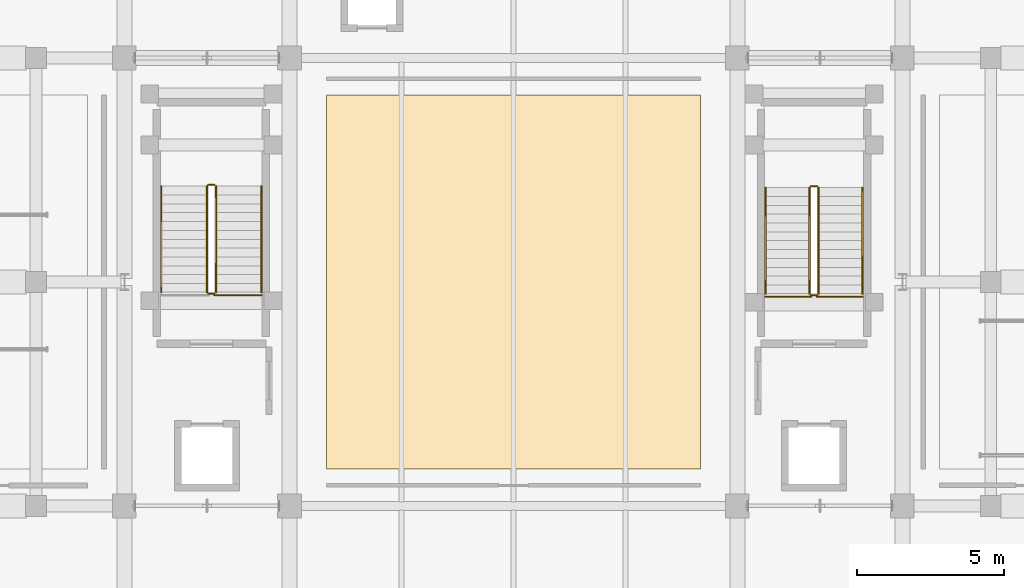
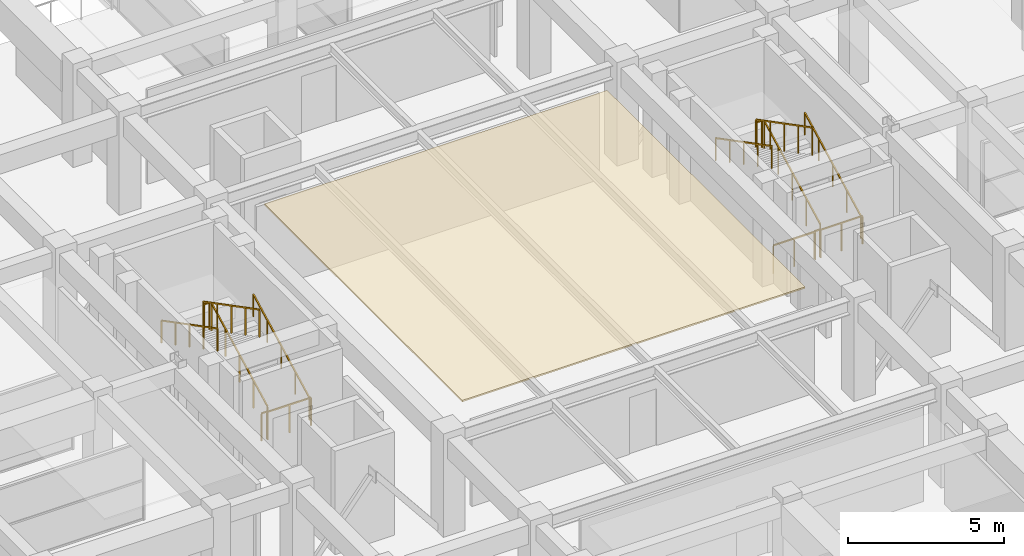
# One storey, part 61 of 70: 15 railings, 1 covering.
"""IFC4 building model written with IfcOpenShell, lengths in metres."""

from ifc_helpers import new_model, si_unit, direction, frame, origin, origin_2d, place, context, subcontext, project, spatial, polyline, rectangle, outline, extrude, material, layer, layer_set, type_object, element, save


model = new_model("IFC4")

# Units and contexts
model_context = context("Model", 3, precision=1e-05, world=origin(), true_north=direction((0.0, 1.0)))
body_context = subcontext(model_context, "Body", "Model", "MODEL_VIEW")
ifc_project = project(units=[si_unit("LENGTHUNIT", "METRE"), si_unit("AREAUNIT", "SQUARE_METRE"), si_unit("VOLUMEUNIT", "CUBIC_METRE"), si_unit("PLANEANGLEUNIT", "RADIAN"), si_unit("MASSUNIT", "GRAM", prefix="KILO")], contexts=[model_context])

# Site, building, storey
site_placement = place(None, origin())
site = spatial("IfcSite", under=ifc_project, at=site_placement, CompositionType="ELEMENT")
building_placement = place(site_placement, origin())
building = spatial("IfcBuilding", under=site, at=building_placement, Name="Saryqyr Civic Hall", CompositionType="ELEMENT")
storey_placement = place(building_placement, frame((0.0, 0.0, 13.199951171875)))
storey = spatial("IfcBuildingStorey", under=building, at=storey_placement, Name="L03", CompositionType="ELEMENT", Elevation=13.199951171875)

# Covering
ifc_material_1 = material(Name="Mineral-fibre acoustic ceiling tile", Category="acoustic_tile")
ifc_layer_1 = layer(ifc_material_1, 0.06005859375, Name="Mineral-fibre acoustic ceiling tile")
ifc_layer_set_1 = layer_set([ifc_layer_1], Name="Mineral-fibre acoustic ceiling tile")
covering_type = type_object("IfcCoveringType", Name="INT-COV-CEIL-60", PredefinedType="CEILING", material=ifc_layer_set_1)
covering_placement = place(storey_placement, frame((0.0, 0.0, 3.72998046875)))
element("IfcCovering", 1, at=covering_placement, inside=storey, type_object=covering_type, Name="Acoustic ceiling Civic Digital Governance & Hearing Forum", PredefinedType="CEILING", context=body_context, shape_type="SweptSolid", body=[
    extrude(outline(polyline([(50.64990234375, 77.64990234375), (50.64990234375, 90.35009765625), (63.35009765625, 90.35009765625), (63.35009765625, 77.64990234375), (50.64990234375, 77.64990234375)])), origin(), (0.0, 0.0, 1.0), 0.06005859375),
])

# Railings
ifc_material_2 = material(Name="Warm brushed brass and laminated glass", Category="glass")
ifc_layer_2 = layer(ifc_material_2, 0.06005859375, Name="Warm brushed brass and laminated glass")
ifc_layer_set_2 = layer_set([ifc_layer_2], Name="Warm brushed brass and laminated glass")
railing_type_1 = type_object("IfcRailingType", Name="INT-RLG-BAL-1100", PredefinedType="BALUSTRADE", material=ifc_layer_set_2)
railing_1_placement = place(storey_placement, frame((46.89990234375, 83.64990234375, 0.15576171875)))
element("IfcRailing", 2, at=railing_1_placement, inside=storey, type_object=railing_type_1, Name="L03 ST-1 stair guard 1", PredefinedType="BALUSTRADE", context=body_context, shape_type="SweptSolid", body=[
    extrude(rectangle(XDim=0.048095703125, YDim=0.048095703125, at=origin_2d()), frame((0.0, 0.0, 1.076171875), z_axis=(0.0, 0.887485663002, 0.460835326299), x_axis=(-1.0, 0.0, 0.0)), (0.0, 0.0, 1.0), 4.056396484375),
    extrude(rectangle(XDim=0.0419921875, YDim=0.0419921875, at=origin_2d()), origin(), (0.0, 0.0, 1.0), 1.052001953125),
    extrude(rectangle(XDim=0.0419921875, YDim=0.0419921875, at=origin_2d()), frame((0.0, 0.89990234375, 0.46728515625)), (0.0, 0.0, 1.0), 1.052001953125),
    extrude(rectangle(XDim=0.0419921875, YDim=0.0419921875, at=origin_2d()), frame((0.0, 1.800048828125, 0.9345703125)), (0.0, 0.0, 1.0), 1.052001953125),
    extrude(rectangle(XDim=0.0419921875, YDim=0.0419921875, at=origin_2d()), frame((0.0, 2.7001953125, 1.402099609375)), (0.0, 0.0, 1.0), 1.052001953125),
    extrude(rectangle(XDim=0.0419921875, YDim=0.0419921875, at=origin_2d()), frame((0.0, 3.60009765625, 1.869384765625)), (0.0, 0.0, 1.0), 1.052001953125),
])
railing_2_placement = place(storey_placement, frame((46.85009765625, 87.300048828125, 2.025146484375)))
element("IfcRailing", 3, at=railing_2_placement, inside=storey, type_object=railing_type_1, Name="L03 ST-1 stair guard 2", PredefinedType="BALUSTRADE", context=body_context, shape_type="SweptSolid", body=[
    extrude(rectangle(XDim=0.048095703125, YDim=0.048095703125, at=origin_2d()), frame((0.0, 0.0, 1.076171875), z_axis=(-1.0, 0.0, 0.0), x_axis=(0.0, -1.0, 0.0)), (0.0, 0.0, 1.0), 0.2001953125),
    extrude(rectangle(XDim=0.0419921875, YDim=0.0419921875, at=origin_2d()), origin(), (0.0, 0.0, 1.0), 1.052001953125),
    extrude(rectangle(XDim=0.0419921875, YDim=0.0419921875, at=origin_2d()), frame((-0.2001953125, 0.0, 0.0)), (0.0, 0.0, 1.0), 1.052001953125),
])
railing_3_placement = place(storey_placement, frame((46.60009765625, 87.25, 2.180908203125)))
element("IfcRailing", 4, at=railing_3_placement, inside=storey, type_object=railing_type_1, Name="L03 ST-1 stair guard 3", PredefinedType="BALUSTRADE", context=body_context, shape_type="SweptSolid", body=[
    extrude(rectangle(XDim=0.048095703125, YDim=0.048095703125, at=origin_2d()), frame((0.0, 0.0, 1.076171875), z_axis=(0.0, -0.887510277101, 0.460787920893), x_axis=(1.0, 0.0, 0.0)), (0.0, 0.0, 1.0), 4.056396484375),
    extrude(rectangle(XDim=0.0419921875, YDim=0.0419921875, at=origin_2d()), origin(), (0.0, 0.0, 1.0), 1.052001953125),
    extrude(rectangle(XDim=0.0419921875, YDim=0.0419921875, at=origin_2d()), frame((0.0, -0.89990234375, 0.46728515625)), (0.0, 0.0, 1.0), 1.052001953125),
    extrude(rectangle(XDim=0.0419921875, YDim=0.0419921875, at=origin_2d()), frame((0.0, -1.800048828125, 0.9345703125)), (0.0, 0.0, 1.0), 1.052001953125),
    extrude(rectangle(XDim=0.0419921875, YDim=0.0419921875, at=origin_2d()), frame((0.0, -2.7001953125, 1.40185546875)), (0.0, 0.0, 1.0), 1.052001953125),
    extrude(rectangle(XDim=0.0419921875, YDim=0.0419921875, at=origin_2d()), frame((0.0, -3.60009765625, 1.869140625)), (0.0, 0.0, 1.0), 1.052001953125),
])
railing_4_placement = place(storey_placement, frame((46.85009765625, 83.60009765625, 0.0)))
element("IfcRailing", 5, at=railing_4_placement, inside=storey, type_object=railing_type_1, Name="L03 ST-1 stair guard 4", PredefinedType="BALUSTRADE", context=body_context, shape_type="SweptSolid", body=[
    extrude(rectangle(XDim=0.048095703125, YDim=0.048095703125, at=origin_2d()), frame((0.0, 0.0, 1.076171875), z_axis=(-1.0, 0.0, 0.0), x_axis=(0.0, -1.0, 0.0)), (0.0, 0.0, 1.0), 0.2001953125),
    extrude(rectangle(XDim=0.0419921875, YDim=0.0419921875, at=origin_2d()), origin(), (0.0, 0.0, 1.0), 1.052001953125),
    extrude(rectangle(XDim=0.0419921875, YDim=0.0419921875, at=origin_2d()), frame((-0.2001953125, 0.0, 0.0)), (0.0, 0.0, 1.0), 1.052001953125),
])
railing_5_placement = place(storey_placement, frame((67.35009765625, 83.60009765625, 0.15576171875)))
element("IfcRailing", 6, at=railing_5_placement, inside=storey, type_object=railing_type_1, Name="L03 ST-2 stair guard 1", PredefinedType="BALUSTRADE", context=body_context, shape_type="SweptSolid", body=[
    extrude(rectangle(XDim=0.048095703125, YDim=0.048095703125, at=origin_2d()), frame((0.0, 0.0, 1.076171875), z_axis=(0.0, 0.887472880572, 0.460859942119), x_axis=(-1.0, 0.0, 0.0)), (0.0, 0.0, 1.0), 4.056396484375),
    extrude(rectangle(XDim=0.0419921875, YDim=0.0419921875, at=origin_2d()), origin(), (0.0, 0.0, 1.0), 1.052001953125),
    extrude(rectangle(XDim=0.0419921875, YDim=0.0419921875, at=origin_2d()), frame((0.0, 0.89990234375, 0.46728515625)), (0.0, 0.0, 1.0), 1.052001953125),
    extrude(rectangle(XDim=0.0419921875, YDim=0.0419921875, at=origin_2d()), frame((0.0, 1.7998046875, 0.9345703125)), (0.0, 0.0, 1.0), 1.052001953125),
    extrude(rectangle(XDim=0.0419921875, YDim=0.0419921875, at=origin_2d()), frame((0.0, 2.699951171875, 1.402099609375)), (0.0, 0.0, 1.0), 1.052001953125),
    extrude(rectangle(XDim=0.0419921875, YDim=0.0419921875, at=origin_2d()), frame((0.0, 3.599853515625, 1.869384765625)), (0.0, 0.0, 1.0), 1.052001953125),
])
railing_6_placement = place(storey_placement, frame((67.300048828125, 87.25, 2.025146484375)))
element("IfcRailing", 7, at=railing_6_placement, inside=storey, type_object=railing_type_1, Name="L03 ST-2 stair guard 2", PredefinedType="BALUSTRADE", context=body_context, shape_type="SweptSolid", body=[
    extrude(rectangle(XDim=0.048095703125, YDim=0.048095703125, at=origin_2d()), frame((0.0, 0.0, 1.076171875), z_axis=(-1.0, 0.0, 0.0), x_axis=(0.0, -1.0, 0.0)), (0.0, 0.0, 1.0), 0.199951171875),
    extrude(rectangle(XDim=0.0419921875, YDim=0.0419921875, at=origin_2d()), origin(), (0.0, 0.0, 1.0), 1.052001953125),
    extrude(rectangle(XDim=0.0419921875, YDim=0.0419921875, at=origin_2d()), frame((-0.199951171875, 0.0, 0.0)), (0.0, 0.0, 1.0), 1.052001953125),
])
railing_7_placement = place(storey_placement, frame((67.050048828125, 87.199951171875, 2.180908203125)))
element("IfcRailing", 8, at=railing_7_placement, inside=storey, type_object=railing_type_1, Name="L03 ST-2 stair guard 3", PredefinedType="BALUSTRADE", context=body_context, shape_type="SweptSolid", body=[
    extrude(rectangle(XDim=0.048095703125, YDim=0.048095703125, at=origin_2d()), frame((0.0, 0.0, 1.076171875), z_axis=(0.0, -0.887497496945, 0.460812535545), x_axis=(1.0, 0.0, 0.0)), (0.0, 0.0, 1.0), 4.05615234375),
    extrude(rectangle(XDim=0.0419921875, YDim=0.0419921875, at=origin_2d()), origin(), (0.0, 0.0, 1.0), 1.052001953125),
    extrude(rectangle(XDim=0.0419921875, YDim=0.0419921875, at=origin_2d()), frame((0.0, -0.89990234375, 0.46728515625)), (0.0, 0.0, 1.0), 1.052001953125),
    extrude(rectangle(XDim=0.0419921875, YDim=0.0419921875, at=origin_2d()), frame((0.0, -1.7998046875, 0.9345703125)), (0.0, 0.0, 1.0), 1.052001953125),
    extrude(rectangle(XDim=0.0419921875, YDim=0.0419921875, at=origin_2d()), frame((0.0, -2.699951171875, 1.40185546875)), (0.0, 0.0, 1.0), 1.052001953125),
    extrude(rectangle(XDim=0.0419921875, YDim=0.0419921875, at=origin_2d()), frame((0.0, -3.599853515625, 1.869140625)), (0.0, 0.0, 1.0), 1.052001953125),
])
railing_8_placement = place(storey_placement, frame((67.300048828125, 83.550048828125, 0.0)))
element("IfcRailing", 9, at=railing_8_placement, inside=storey, type_object=railing_type_1, Name="L03 ST-2 stair guard 4", PredefinedType="BALUSTRADE", context=body_context, shape_type="SweptSolid", body=[
    extrude(rectangle(XDim=0.048095703125, YDim=0.048095703125, at=origin_2d()), frame((0.0, 0.0, 1.076171875), z_axis=(-1.0, 0.0, 0.0), x_axis=(0.0, -1.0, 0.0)), (0.0, 0.0, 1.0), 0.199951171875),
    extrude(rectangle(XDim=0.0419921875, YDim=0.0419921875, at=origin_2d()), origin(), (0.0, 0.0, 1.0), 1.052001953125),
    extrude(rectangle(XDim=0.0419921875, YDim=0.0419921875, at=origin_2d()), frame((-0.199951171875, 0.0, 0.0)), (0.0, 0.0, 1.0), 1.052001953125),
])
railing_9_placement = place(storey_placement, frame((65.544921875, 83.5, 0.0)))
element("IfcRailing", 10, at=railing_9_placement, inside=storey, type_object=railing_type_1, Name="Interior deck safety balustrade L03-098", PredefinedType="BALUSTRADE", context=body_context, shape_type="SweptSolid", body=[
    extrude(rectangle(XDim=0.048095703125, YDim=0.048095703125, at=origin_2d()), frame((0.0, 0.0, 1.09619140625), z_axis=(1.0, 0.0, 0.0), x_axis=(0.0, 1.0, 0.0)), (0.0, 0.0, 1.0), 1.55517578125),
    extrude(rectangle(XDim=0.0419921875, YDim=0.0419921875, at=origin_2d()), origin(), (0.0, 0.0, 1.0), 1.072021484375),
    extrude(rectangle(XDim=0.0419921875, YDim=0.0419921875, at=origin_2d()), frame((0.777587890625, 0.0, 0.0)), (0.0, 0.0, 1.0), 1.072021484375),
    extrude(rectangle(XDim=0.0419921875, YDim=0.0419921875, at=origin_2d()), frame((1.55517578125, 0.0, 0.0)), (0.0, 0.0, 1.0), 1.072021484375),
])
railing_10_placement = place(storey_placement, frame((67.300048828125, 83.5, 0.0)))
element("IfcRailing", 11, at=railing_10_placement, inside=storey, type_object=railing_type_1, Name="Interior deck safety balustrade L03-099", PredefinedType="BALUSTRADE", context=body_context, shape_type="SweptSolid", body=[
    extrude(rectangle(XDim=0.048095703125, YDim=0.048095703125, at=origin_2d()), frame((0.0, 0.0, 1.09619140625), z_axis=(1.0, 0.0, 0.0), x_axis=(0.0, 1.0, 0.0)), (0.0, 0.0, 1.0), 1.554931640625),
    extrude(rectangle(XDim=0.0419921875, YDim=0.0419921875, at=origin_2d()), origin(), (0.0, 0.0, 1.0), 1.072021484375),
    extrude(rectangle(XDim=0.0419921875, YDim=0.0419921875, at=origin_2d()), frame((0.77734375, 0.0, 0.0)), (0.0, 0.0, 1.0), 1.072021484375),
    extrude(rectangle(XDim=0.0419921875, YDim=0.0419921875, at=origin_2d()), frame((1.554931640625, 0.0, 0.0)), (0.0, 0.0, 1.0), 1.072021484375),
])
railing_11_placement = place(storey_placement, frame((46.85009765625, 83.550048828125, 0.0)))
element("IfcRailing", 12, at=railing_11_placement, inside=storey, type_object=railing_type_1, Name="Interior deck safety balustrade L03-101", PredefinedType="BALUSTRADE", context=body_context, shape_type="SweptSolid", body=[
    extrude(rectangle(XDim=0.048095703125, YDim=0.048095703125, at=origin_2d()), frame((0.0, 0.0, 1.09619140625), z_axis=(1.0, 0.0, 0.0), x_axis=(0.0, 1.0, 0.0)), (0.0, 0.0, 1.0), 1.60498046875),
    extrude(rectangle(XDim=0.0419921875, YDim=0.0419921875, at=origin_2d()), origin(), (0.0, 0.0, 1.0), 1.072021484375),
    extrude(rectangle(XDim=0.0419921875, YDim=0.0419921875, at=origin_2d()), frame((0.802490234375, 0.0, 0.0)), (0.0, 0.0, 1.0), 1.072021484375),
    extrude(rectangle(XDim=0.0419921875, YDim=0.0419921875, at=origin_2d()), frame((1.60498046875, 0.0, 0.0)), (0.0, 0.0, 1.0), 1.072021484375),
])
ifc_material_3 = material(Name="Stainless steel", Category="steel")
ifc_layer_3 = layer(ifc_material_3, 0.050048828125, Name="Stainless steel")
ifc_layer_set_3 = layer_set([ifc_layer_3], Name="Stainless steel")
railing_type_2 = type_object("IfcRailingType", Name="INT-RLG-HND-900", PredefinedType="HANDRAIL", material=ifc_layer_set_3)
railing_12_placement = place(storey_placement, frame((48.449951171875, 83.64990234375, 0.15576171875)))
element("IfcRailing", 13, at=railing_12_placement, inside=storey, type_object=railing_type_2, Name="L03 ST-1 stair handrail 1", PredefinedType="HANDRAIL", context=body_context, shape_type="SweptSolid", body=[
    extrude(rectangle(XDim=0.048095703125, YDim=0.048095703125, at=origin_2d()), frame((0.0, 0.0, 0.8759765625), z_axis=(0.0, 0.887485663002, 0.460835326299), x_axis=(-1.0, 0.0, 0.0)), (0.0, 0.0, 1.0), 4.056396484375),
    extrude(rectangle(XDim=0.0419921875, YDim=0.0419921875, at=origin_2d()), origin(), (0.0, 0.0, 1.0), 0.851806640625),
    extrude(rectangle(XDim=0.0419921875, YDim=0.0419921875, at=origin_2d()), frame((0.0, 0.89990234375, 0.46728515625)), (0.0, 0.0, 1.0), 0.851806640625),
    extrude(rectangle(XDim=0.0419921875, YDim=0.0419921875, at=origin_2d()), frame((0.0, 1.800048828125, 0.9345703125)), (0.0, 0.0, 1.0), 0.851806640625),
    extrude(rectangle(XDim=0.0419921875, YDim=0.0419921875, at=origin_2d()), frame((0.0, 2.7001953125, 1.402099609375)), (0.0, 0.0, 1.0), 0.851806640625),
    extrude(rectangle(XDim=0.0419921875, YDim=0.0419921875, at=origin_2d()), frame((0.0, 3.60009765625, 1.869384765625)), (0.0, 0.0, 1.0), 0.851806640625),
])
railing_13_placement = place(storey_placement, frame((45.050048828125, 87.25, 2.180908203125)))
element("IfcRailing", 14, at=railing_13_placement, inside=storey, type_object=railing_type_2, Name="L03 ST-1 stair handrail 2", PredefinedType="HANDRAIL", context=body_context, shape_type="SweptSolid", body=[
    extrude(rectangle(XDim=0.048095703125, YDim=0.048095703125, at=origin_2d()), frame((0.0, 0.0, 0.8759765625), z_axis=(0.0, -0.887510277101, 0.460787920893), x_axis=(1.0, 0.0, 0.0)), (0.0, 0.0, 1.0), 4.056396484375),
    extrude(rectangle(XDim=0.0419921875, YDim=0.0419921875, at=origin_2d()), origin(), (0.0, 0.0, 1.0), 0.851806640625),
    extrude(rectangle(XDim=0.0419921875, YDim=0.0419921875, at=origin_2d()), frame((0.0, -0.89990234375, 0.46728515625)), (0.0, 0.0, 1.0), 0.851806640625),
    extrude(rectangle(XDim=0.0419921875, YDim=0.0419921875, at=origin_2d()), frame((0.0, -1.800048828125, 0.9345703125)), (0.0, 0.0, 1.0), 0.851806640625),
    extrude(rectangle(XDim=0.0419921875, YDim=0.0419921875, at=origin_2d()), frame((0.0, -2.7001953125, 1.40185546875)), (0.0, 0.0, 1.0), 0.851806640625),
    extrude(rectangle(XDim=0.0419921875, YDim=0.0419921875, at=origin_2d()), frame((0.0, -3.60009765625, 1.869140625)), (0.0, 0.0, 1.0), 0.851806640625),
])
railing_14_placement = place(storey_placement, frame((68.85009765625, 83.60009765625, 0.15576171875)))
element("IfcRailing", 15, at=railing_14_placement, inside=storey, type_object=railing_type_2, Name="L03 ST-2 stair handrail 1", PredefinedType="HANDRAIL", context=body_context, shape_type="SweptSolid", body=[
    extrude(rectangle(XDim=0.048095703125, YDim=0.048095703125, at=origin_2d()), frame((0.0, 0.0, 0.8759765625), z_axis=(0.0, 0.887472880572, 0.460859942119), x_axis=(-1.0, 0.0, 0.0)), (0.0, 0.0, 1.0), 4.056396484375),
    extrude(rectangle(XDim=0.0419921875, YDim=0.0419921875, at=origin_2d()), origin(), (0.0, 0.0, 1.0), 0.851806640625),
    extrude(rectangle(XDim=0.0419921875, YDim=0.0419921875, at=origin_2d()), frame((0.0, 0.89990234375, 0.46728515625)), (0.0, 0.0, 1.0), 0.851806640625),
    extrude(rectangle(XDim=0.0419921875, YDim=0.0419921875, at=origin_2d()), frame((0.0, 1.7998046875, 0.9345703125)), (0.0, 0.0, 1.0), 0.851806640625),
    extrude(rectangle(XDim=0.0419921875, YDim=0.0419921875, at=origin_2d()), frame((0.0, 2.699951171875, 1.402099609375)), (0.0, 0.0, 1.0), 0.851806640625),
    extrude(rectangle(XDim=0.0419921875, YDim=0.0419921875, at=origin_2d()), frame((0.0, 3.599853515625, 1.869384765625)), (0.0, 0.0, 1.0), 0.851806640625),
])
railing_15_placement = place(storey_placement, frame((65.550048828125, 87.199951171875, 2.180908203125)))
element("IfcRailing", 16, at=railing_15_placement, inside=storey, type_object=railing_type_2, Name="L03 ST-2 stair handrail 2", PredefinedType="HANDRAIL", context=body_context, shape_type="SweptSolid", body=[
    extrude(rectangle(XDim=0.048095703125, YDim=0.048095703125, at=origin_2d()), frame((0.0, 0.0, 0.8759765625), z_axis=(0.0, -0.887497496945, 0.460812535545), x_axis=(1.0, 0.0, 0.0)), (0.0, 0.0, 1.0), 4.05615234375),
    extrude(rectangle(XDim=0.0419921875, YDim=0.0419921875, at=origin_2d()), origin(), (0.0, 0.0, 1.0), 0.851806640625),
    extrude(rectangle(XDim=0.0419921875, YDim=0.0419921875, at=origin_2d()), frame((0.0, -0.89990234375, 0.46728515625)), (0.0, 0.0, 1.0), 0.851806640625),
    extrude(rectangle(XDim=0.0419921875, YDim=0.0419921875, at=origin_2d()), frame((0.0, -1.7998046875, 0.9345703125)), (0.0, 0.0, 1.0), 0.851806640625),
    extrude(rectangle(XDim=0.0419921875, YDim=0.0419921875, at=origin_2d()), frame((0.0, -2.699951171875, 1.40185546875)), (0.0, 0.0, 1.0), 0.851806640625),
    extrude(rectangle(XDim=0.0419921875, YDim=0.0419921875, at=origin_2d()), frame((0.0, -3.599853515625, 1.869140625)), (0.0, 0.0, 1.0), 0.851806640625),
])

save(model, "model.ifc")
